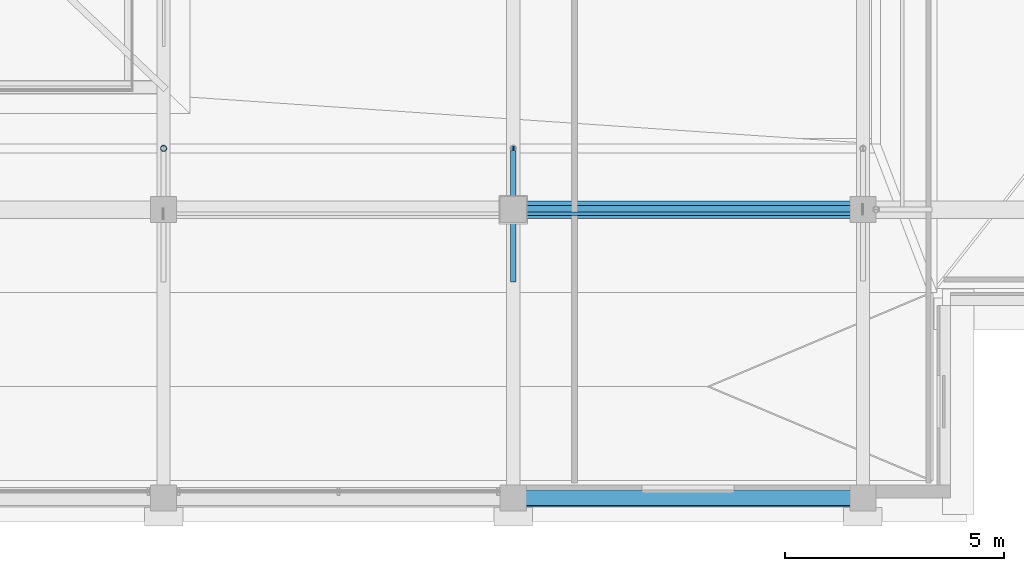
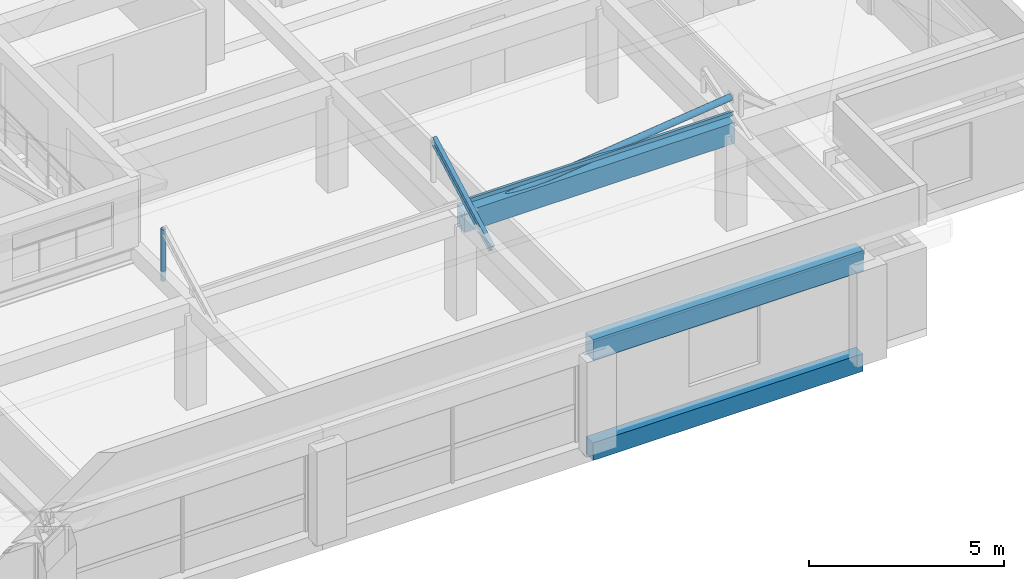
# One storey, part 13 of 39: 4 members, 3 beams.
"""IFC4 building model written with IfcOpenShell, lengths in metres."""

from ifc_helpers import new_model, si_unit, direction, frame, origin, origin_2d, place, context, subcontext, project, spatial, rectangle, hollow_rectangle, hollow_circle, i_section, extrude, material, material_profile, profile_set, type_object, element, save


model = new_model("IFC4")

# Units and contexts
model_context = context("Model", 3, precision=1e-05, world=origin(), true_north=direction((0.0, 1.0)))
body_context = subcontext(model_context, "Body", "Model", "MODEL_VIEW")
ifc_project = project(units=[si_unit("LENGTHUNIT", "METRE"), si_unit("AREAUNIT", "SQUARE_METRE"), si_unit("VOLUMEUNIT", "CUBIC_METRE"), si_unit("PLANEANGLEUNIT", "RADIAN"), si_unit("MASSUNIT", "GRAM", prefix="KILO")], contexts=[model_context])

# Site, building, storey
site_placement = place(None, origin())
site = spatial("IfcSite", under=ifc_project, at=site_placement, CompositionType="ELEMENT")
building_placement = place(site_placement, origin())
building = spatial("IfcBuilding", under=site, at=building_placement, Name="Akrevak Sports Hall", CompositionType="ELEMENT")
storey_placement = place(building_placement, frame((0.0, 0.0, 66.550048828125)))
storey = spatial("IfcBuildingStorey", under=building, at=storey_placement, Name="L17", CompositionType="ELEMENT", Elevation=66.550048828125)

# Beams
ifc_material_1 = material(Name="Concrete C40/50", Category="concrete")
ifc_material_profile_1 = material_profile(ifc_material_1, rectangle(XDim=0.35009765625, YDim=0.550048828125, at=origin_2d()), Name="BM 350x550", Category="concrete")
ifc_profile_set_1 = profile_set([ifc_material_profile_1], Name="Concrete C40/50")
beam_type_1 = type_object("IfcBeamType", Name="STR-BM-RC350x550", PredefinedType="BEAM", material=ifc_profile_set_1)
beam_placement = place(storey_placement, frame((92.0, 35.39990234375, -0.275146484375), z_axis=(1.0, 0.0, 0.0), x_axis=(0.0, 1.0, 0.0)))
element("IfcBeam", 1, at=beam_placement, inside=storey, type_object=beam_type_1, Name="Girder F/13-14 (L17)", PredefinedType="BEAM", context=body_context, shape_type="SweptSolid", body=[
    extrude(rectangle(XDim=0.35009765625, YDim=0.550048828125, at=origin_2d()), origin(), (0.0, 0.0, 1.0), 8.0),
])
ifc_material_profile_2 = material_profile(ifc_material_1, rectangle(XDim=0.39990234375, YDim=0.64990234375, at=origin_2d()), Name="BM 400x650", Category="concrete")
ifc_profile_set_2 = profile_set([ifc_material_profile_2], Name="Concrete C40/50")
beam_type_2 = type_object("IfcBeamType", Name="STR-BM-RC400x650", PredefinedType="BEAM", material=ifc_profile_set_2)
for number, where, z_axis, x_axis, name in (
    (2, (92.0, 35.39990234375, 2.925048828125), (1.0, 0.0, 0.0), (0.0, 1.0, 0.0), "Girder F/13-14 (ROOF)"),
    (3, (92.0, 42.0, 2.925048828125), (1.0, 0.0, 0.0), (0.0, 1.0, 0.0), "Girder G/13-14 (ROOF)"),
):
    element("IfcBeam", number, at=place(storey_placement, frame(where, z_axis=z_axis, x_axis=x_axis)), inside=storey, type_object=beam_type_2, Name=name, PredefinedType="BEAM", context=body_context, shape_type="SweptSolid", body=[
        extrude(rectangle(XDim=0.39990234375, YDim=0.64990234375, at=origin_2d()), origin(), (0.0, 0.0, 1.0), 8.0),
    ])

# Members
ifc_material_2 = material(Name="Steel S355", Category="steel")
ifc_material_profile_3 = material_profile(ifc_material_2, hollow_circle(Radius=0.06982421875, WallThickness=0.008056640625, at=origin_2d()), Name="CHS 139.7x8", Category="steel")
ifc_profile_set_3 = profile_set([ifc_material_profile_3], Name="Steel S355")
member_type_1 = type_object("IfcMemberType", Name="STR-MEM-BRACE-CHS139", PredefinedType="BRACE", material=ifc_profile_set_3)
member_1_placement = place(storey_placement, frame((84.0, 43.39990234375, 2.949951171875), z_axis=(0.0, 0.0, 1.0), x_axis=(1.0, 0.0, 0.0)))
element("IfcMember", 4, at=member_1_placement, inside=storey, type_object=member_type_1, Name="Mansard Knee Post MANS-E-S-84", PredefinedType="BRACE", context=body_context, shape_type="SweptSolid", body=[
    extrude(hollow_circle(Radius=0.06982421875, WallThickness=0.008056640625, at=origin_2d()), origin(), (0.0, 0.0, 1.0), 1.6201171875),
])
ifc_material_profile_4 = material_profile(ifc_material_2, hollow_circle(Radius=0.096923828125, WallThickness=0.010009765625, at=origin_2d()), Name="CHS 193.7x10", Category="steel")
ifc_profile_set_4 = profile_set([ifc_material_profile_4], Name="Steel S355")
member_type_2 = type_object("IfcMemberType", Name="STR-MEM-BRACE-CHS193", PredefinedType="BRACE", material=ifc_profile_set_4)
member_2_placement = place(storey_placement, frame((92.0, 42.0, 3.0), z_axis=(0.993311666207, 0.0, 0.115463993426), x_axis=(0.0, 1.0, 0.0)))
element("IfcMember", 5, at=member_2_placement, inside=storey, type_object=member_type_2, Name="Mansard Roof Lateral Brace MBRC-ES-1", PredefinedType="BRACE", context=body_context, shape_type="SweptSolid", body=[
    extrude(hollow_circle(Radius=0.096923828125, WallThickness=0.010009765625, at=origin_2d()), origin(), (0.0, 0.0, 1.0), 8.053955078125),
])
ifc_material_profile_5 = material_profile(ifc_material_2, hollow_rectangle(XDim=0.080078125, YDim=0.1201171875, WallThickness=0.00634765625, at=origin_2d()), Name="RHS 120x80x6.3", Category="steel")
ifc_profile_set_5 = profile_set([ifc_material_profile_5], Name="Steel S355")
member_type_3 = type_object("IfcMemberType", Name="STR-MEM-PUR-RHS120", PredefinedType="PURLIN", material=ifc_profile_set_5)
member_3_placement = place(storey_placement, frame((92.0, 41.89990234375, 3.5), z_axis=(1.0, 0.0, 0.0), x_axis=(0.0, 1.0, 0.0)))
element("IfcMember", 6, at=member_3_placement, inside=storey, type_object=member_type_3, Name="Mansard Steel Purlin MANS-E-S-B", PredefinedType="PURLIN", context=body_context, shape_type="SweptSolid", body=[
    extrude(hollow_rectangle(XDim=0.080078125, YDim=0.1201171875, WallThickness=0.00634765625, at=origin_2d()), origin(), (0.0, 0.0, 1.0), 8.0),
])
ifc_material_profile_6 = material_profile(ifc_material_2, i_section(OverallWidth=0.1201171875, OverallDepth=0.239990234375, WebThickness=0.006103515625, FlangeThickness=0.009765625, FilletRadius=0.014892578125, at=origin_2d()), Name="IPE 240", Category="steel")
ifc_profile_set_6 = profile_set([ifc_material_profile_6], Name="Steel S355")
member_type_4 = type_object("IfcMemberType", Name="STR-MEM-RAF-IPE240", PredefinedType="RAFTER", material=ifc_profile_set_6)
member_4_placement = place(storey_placement, frame((92.0, 40.39990234375, 2.949951171875), z_axis=(0.0, 0.879891027325, 0.475175525499), x_axis=(-1.0, 0.0, 0.0)))
element("IfcMember", 7, at=member_4_placement, inside=storey, type_object=member_type_4, Name="Mansard Steel Rafter MANS-E-S-92", PredefinedType="RAFTER", context=body_context, shape_type="SweptSolid", body=[
    extrude(i_section(OverallWidth=0.1201171875, OverallDepth=0.239990234375, WebThickness=0.006103515625, FlangeThickness=0.009765625, FilletRadius=0.014892578125, at=origin_2d()), origin(), (0.0, 0.0, 1.0), 3.409423828125),
])

save(model, "model.ifc")
